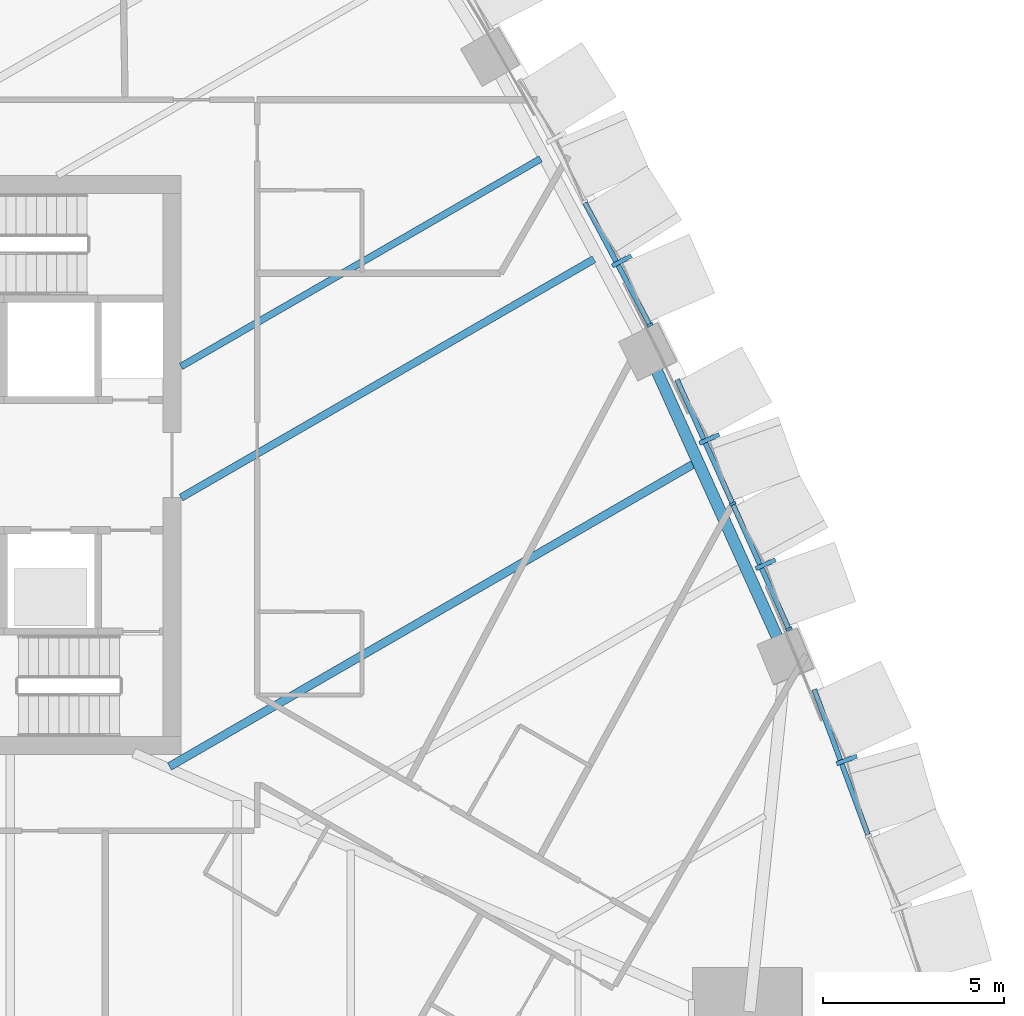
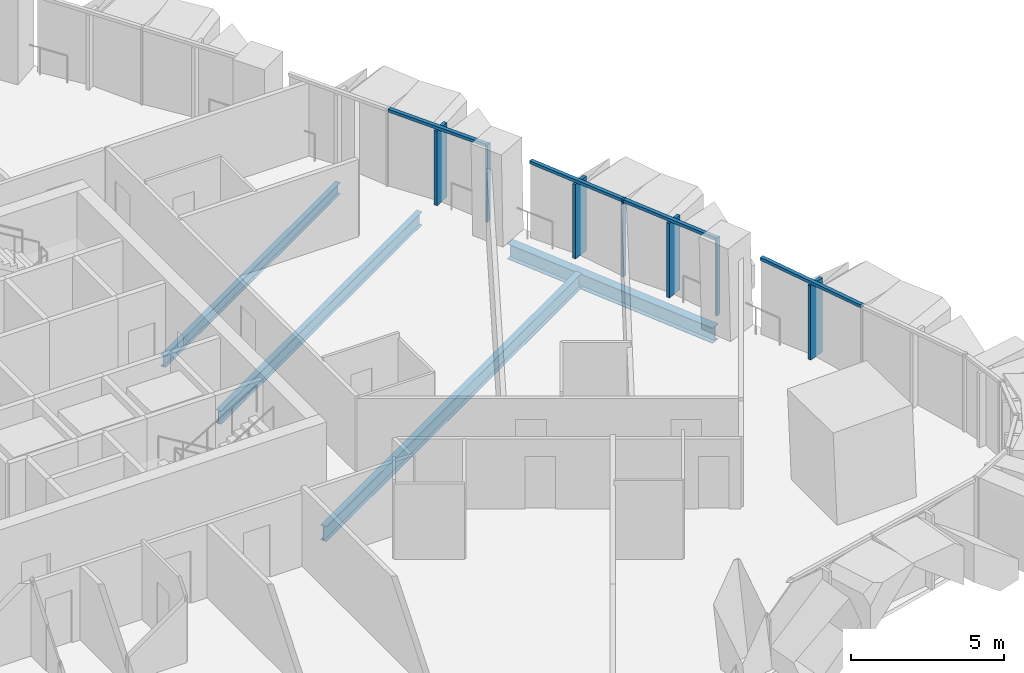
# One storey, part 5 of 22: 11 members, 4 beams, 3 elements without a shape of their own.
"""IFC4 building model written with IfcOpenShell, lengths in metres."""

from ifc_helpers import new_model, si_unit, direction, frame, origin, origin_2d, place, context, subcontext, project, spatial, rectangle, i_section, extrude, material, layer, layer_set, material_profile, profile_set, type_object, element, aggregate, save


model = new_model("IFC4")

# Units and contexts
model_context = context("Model", 3, precision=1e-05, world=origin(), true_north=direction((0.0, 1.0)))
body_context = subcontext(model_context, "Body", "Model", "MODEL_VIEW")
ifc_project = project(units=[si_unit("LENGTHUNIT", "METRE"), si_unit("AREAUNIT", "SQUARE_METRE"), si_unit("VOLUMEUNIT", "CUBIC_METRE"), si_unit("PLANEANGLEUNIT", "RADIAN"), si_unit("MASSUNIT", "GRAM", prefix="KILO")], contexts=[model_context])

# Site, building, storey
site_placement = place(None, origin())
site = spatial("IfcSite", under=ifc_project, at=site_placement, CompositionType="ELEMENT")
building_placement = place(site_placement, origin())
building = spatial("IfcBuilding", under=site, at=building_placement, Name="Sierra Prisma Convention Tower", CompositionType="ELEMENT")
storey_placement = place(building_placement, frame((0.0, 0.0, 66.5)))
storey = spatial("IfcBuildingStorey", under=building, at=storey_placement, Name="L12", CompositionType="ELEMENT", Elevation=66.5)

# Curtain wall, member
ifc_material_1 = material(Name="Aluminium and glass curtain wall", Category="aluminium")
ifc_layer = layer(ifc_material_1, 0.179931640625)
ifc_layer_set = layer_set([ifc_layer], Name="CW-2 Faceted crystal curtain wall")
curtain_wall_type = type_object("IfcCurtainWallType", Name="CW-2 Faceted crystal curtain wall", PredefinedType="NOTDEFINED", material=ifc_layer_set)
curtain_wall_1_placement = place(storey_placement, origin())
curtain_wall_1 = element("IfcCurtainWall", 1, at=curtain_wall_1_placement, inside=storey, type_object=curtain_wall_type, Name="CW-2 NE1 L12", PredefinedType="NOTDEFINED")
ifc_material_2 = material(Name="Aluminium 6063-T6 bronze anodised", Category="aluminium")
ifc_material_profile_1 = material_profile(ifc_material_2, rectangle(XDim=0.1201171875, YDim=0.60009765625, at=origin_2d()), Name="ALU RIDGE BLADE 120x600")
ifc_profile_set_1 = profile_set([ifc_material_profile_1], Name="Aluminium 6063-T6 bronze anodised")
member_type_1 = type_object("IfcMemberType", Name="CW hip bronze", PredefinedType="MULLION", material=ifc_profile_set_1)
member_1_placement = place(storey_placement, frame((29.395751953125, -8.1474609375, 0.0), z_axis=(0.0, 0.0, 1.0), x_axis=(-0.347364051978, 0.937730353243, 0.0)))
member_1 = element("IfcMember", 2, at=member_1_placement, type_object=member_type_1, Name="CW-2 ridge NE1.2", PredefinedType="MULLION", context=body_context, shape_type="SweptSolid", body=[
    extrude(rectangle(XDim=0.1201171875, YDim=0.60009765625, at=origin_2d()), origin(), (0.0, 0.0, 1.0), 2.97998046875),
])

# Curtain wall, members
curtain_wall_2_placement = place(storey_placement, origin())
curtain_wall_2 = element("IfcCurtainWall", 3, at=curtain_wall_2_placement, inside=storey, type_object=curtain_wall_type, Name="CW-2 NE2 L12", PredefinedType="NOTDEFINED")
member_2_placement = place(storey_placement, frame((27.152587890625, -2.73876953125, 0.0), z_axis=(0.0, 0.0, 1.0), x_axis=(-0.409132433355, 0.91247501444, 0.0)))
member_2 = element("IfcMember", 4, at=member_2_placement, type_object=member_type_1, Name="CW-2 ridge NE2.1", PredefinedType="MULLION", context=body_context, shape_type="SweptSolid", body=[
    extrude(rectangle(XDim=0.1201171875, YDim=0.60009765625, at=origin_2d()), origin(), (0.0, 0.0, 1.0), 2.97998046875),
])
member_3_placement = place(storey_placement, frame((25.599853515625, 0.72412109375, 0.0), z_axis=(0.0, 0.0, 1.0), x_axis=(-0.409132433355, 0.91247501444, 0.0)))
member_3 = element("IfcMember", 5, at=member_3_placement, type_object=member_type_1, Name="CW-2 ridge NE2.2", PredefinedType="MULLION", context=body_context, shape_type="SweptSolid", body=[
    extrude(rectangle(XDim=0.1201171875, YDim=0.60009765625, at=origin_2d()), origin(), (0.0, 0.0, 1.0), 2.97998046875),
])

# Curtain wall, member
curtain_wall_3_placement = place(storey_placement, origin())
curtain_wall_3 = element("IfcCurtainWall", 6, at=curtain_wall_3_placement, inside=storey, type_object=curtain_wall_type, Name="CW-2 NE3 L12", PredefinedType="NOTDEFINED")
member_4_placement = place(storey_placement, frame((23.1806640625, 5.644775390625, 0.0), z_axis=(0.0, 0.0, 1.0), x_axis=(-0.469078880468, 0.88315627377, 0.0)))
member_4 = element("IfcMember", 7, at=member_4_placement, type_object=member_type_1, Name="CW-2 ridge NE3.1", PredefinedType="MULLION", context=body_context, shape_type="SweptSolid", body=[
    extrude(rectangle(XDim=0.1201171875, YDim=0.60009765625, at=origin_2d()), origin(), (0.0, 0.0, 1.0), 2.97998046875),
])

# Member
ifc_material_3 = material(Name="Aluminium 6063-T6 bronze anodised", Category="aluminium")
ifc_material_profile_2 = material_profile(ifc_material_3, rectangle(XDim=0.179931640625, YDim=0.070068359375, at=origin_2d()), Name="ALU MULLION 70x180")
ifc_profile_set_2 = profile_set([ifc_material_profile_2], Name="Aluminium 6063-T6 bronze anodised")
member_type_2 = type_object("IfcMemberType", Name="CW mullion bronze", PredefinedType="MULLION", material=ifc_profile_set_2)
member_5_placement = place(storey_placement, frame((27.795166015625, -4.5302734375, 0.0), z_axis=(0.0, 0.0, 1.0), x_axis=(-0.91247501444, -0.409132433355, 0.0)))
member_5 = element("IfcMember", 8, at=member_5_placement, type_object=member_type_2, Name="CW-1 mullion NE2.1", PredefinedType="MULLION", context=body_context, shape_type="SweptSolid", body=[
    extrude(rectangle(XDim=0.179931640625, YDim=0.070068359375, at=origin_2d()), origin(), (0.0, 0.0, 1.0), 3.10009765625),
])

member_6_placement = place(storey_placement, frame((26.242431640625, -1.0673828125, 0.0), z_axis=(0.0, 0.0, 1.0), x_axis=(-0.91247501444, -0.409132433355, 0.0)))
member_6 = element("IfcMember", 9, at=member_6_placement, type_object=member_type_2, Name="CW-1 mullion NE2.2", PredefinedType="MULLION", context=body_context, shape_type="SweptSolid", body=[
    extrude(rectangle(XDim=0.179931640625, YDim=0.070068359375, at=origin_2d()), origin(), (0.0, 0.0, 1.0), 3.10009765625),
])

member_7_placement = place(storey_placement, frame((23.9541015625, 3.870849609375, 0.0), z_axis=(0.0, 0.0, 1.0), x_axis=(-0.88315627377, -0.469078880468, 0.0)))
member_7 = element("IfcMember", 10, at=member_7_placement, type_object=member_type_2, Name="CW-1 mullion NE3.1", PredefinedType="MULLION", context=body_context, shape_type="SweptSolid", body=[
    extrude(rectangle(XDim=0.179931640625, YDim=0.070068359375, at=origin_2d()), origin(), (0.0, 0.0, 1.0), 3.10009765625),
])

ifc_material_4 = material(Name="Aluminium 6063-T6 bronze anodised", Category="aluminium")
ifc_material_profile_3 = material_profile(ifc_material_4, rectangle(XDim=0.139892578125, YDim=0.1201171875, at=origin_2d()), Name="ALU TRANSOM 120x140")
ifc_profile_set_3 = profile_set([ifc_material_profile_3], Name="Aluminium 6063-T6 bronze anodised")
member_type_3 = type_object("IfcMemberType", Name="CW transom bronze", PredefinedType="USERDEFINED", material=ifc_profile_set_3)
member_8_placement = place(storey_placement, frame((29.98095703125, -10.2119140625, 3.0400390625), z_axis=(-0.347399845704, 0.937717093373, 0.0), x_axis=(-0.937717093373, -0.347399845704, 0.0)))
member_8 = element("IfcMember", 11, at=member_8_placement, type_object=member_type_3, Name="CW-1 transom NE1.2", ObjectType="TRANSOM", PredefinedType="USERDEFINED", context=body_context, shape_type="SweptSolid", body=[
    extrude(rectangle(XDim=0.139892578125, YDim=0.1201171875, at=origin_2d()), origin(), (0.0, 0.0, 1.0), 4.2783203125),
])

aggregate(curtain_wall_1, [member_8, member_1])

member_9_placement = place(storey_placement, frame((27.78076171875, -4.498291015625, 3.0400390625), z_axis=(-0.409170694448, 0.912457858098, 0.0), x_axis=(-0.912457858098, -0.409170694448, 0.0)))
member_9 = element("IfcMember", 12, at=member_9_placement, type_object=member_type_3, Name="CW-1 transom NE2.1", ObjectType="TRANSOM", PredefinedType="USERDEFINED", context=body_context, shape_type="SweptSolid", body=[
    extrude(rectangle(XDim=0.139892578125, YDim=0.1201171875, at=origin_2d()), origin(), (0.0, 0.0, 1.0), 3.72509765625),
])

member_10_placement = place(storey_placement, frame((26.22802734375, -1.035400390625, 3.0400390625), z_axis=(-0.409146226071, 0.912468829984, 0.0), x_axis=(-0.912468829984, -0.409146226071, 0.0)))
member_10 = element("IfcMember", 13, at=member_10_placement, type_object=member_type_3, Name="CW-1 transom NE2.2", ObjectType="TRANSOM", PredefinedType="USERDEFINED", context=body_context, shape_type="SweptSolid", body=[
    extrude(rectangle(XDim=0.139892578125, YDim=0.1201171875, at=origin_2d()), origin(), (0.0, 0.0, 1.0), 3.725341796875),
])

aggregate(curtain_wall_2, [member_5, member_6, member_9, member_2, member_10, member_3])

member_11_placement = place(storey_placement, frame((23.9375, 3.90185546875, 3.0400390625), z_axis=(-0.46906570314, 0.883163272639, 0.0), x_axis=(-0.883163272639, -0.46906570314, 0.0)))
member_11 = element("IfcMember", 14, at=member_11_placement, type_object=member_type_3, Name="CW-1 transom NE3.1", ObjectType="TRANSOM", PredefinedType="USERDEFINED", context=body_context, shape_type="SweptSolid", body=[
    extrude(rectangle(XDim=0.139892578125, YDim=0.1201171875, at=origin_2d()), origin(), (0.0, 0.0, 1.0), 3.78857421875),
])

aggregate(curtain_wall_3, [member_7, member_11, member_4])

# Beams
ifc_material_5 = material(Name="Steel ASTM A992 Gr 50", Category="steel")
ifc_material_profile_4 = material_profile(ifc_material_5, i_section(OverallWidth=0.18994140625, OverallDepth=0.45703125, WebThickness=0.009033203125, FlangeThickness=0.014404296875, at=origin_2d()), Name="W460x74")
ifc_profile_set_4 = profile_set([ifc_material_profile_4], Name="Steel ASTM A992 Gr 50")
beam_type_1 = type_object("IfcBeamType", Name="Floor joist W460x74", PredefinedType="JOIST", material=ifc_profile_set_4)
beam_1_placement = place(storey_placement, frame((20.932861328125, 8.4619140625, -0.37841796875), z_axis=(-0.866020755578, -0.500008050843, 0.0), x_axis=(0.500008050843, -0.866020755578, 0.0)))
element("IfcBeam", 15, at=beam_1_placement, inside=storey, type_object=beam_type_1, Name="Floor joist L12 NE08", PredefinedType="JOIST", context=body_context, shape_type="SweptSolid", body=[
    extrude(i_section(OverallWidth=0.18994140625, OverallDepth=0.45703125, WebThickness=0.009033203125, FlangeThickness=0.014404296875, at=origin_2d()), origin(), (0.0, 0.0, 1.0), 11.469482421875),
])
ifc_material_6 = material(Name="Steel ASTM A992 Gr 50", Category="steel")
ifc_material_profile_5 = material_profile(ifc_material_6, i_section(OverallWidth=0.208984375, OverallDepth=0.532958984375, WebThickness=0.01025390625, FlangeThickness=0.015625, at=origin_2d()), Name="W530x92")
ifc_profile_set_5 = profile_set([ifc_material_profile_5], Name="Steel ASTM A992 Gr 50")
beam_type_2 = type_object("IfcBeamType", Name="Floor joist W530x92", PredefinedType="JOIST", material=ifc_profile_set_5)
beam_2_placement = place(storey_placement, frame((22.412353515625, 5.692138671875, -0.41650390625), z_axis=(-0.866027315751, -0.499996688362, 0.0), x_axis=(0.499996688362, -0.866027315751, 0.0)))
element("IfcBeam", 16, at=beam_2_placement, inside=storey, type_object=beam_type_2, Name="Floor joist L12 NE07", PredefinedType="JOIST", context=body_context, shape_type="SweptSolid", body=[
    extrude(i_section(OverallWidth=0.208984375, OverallDepth=0.532958984375, WebThickness=0.01025390625, FlangeThickness=0.015625, at=origin_2d()), origin(), (0.0, 0.0, 1.0), 13.177734375),
])
ifc_material_7 = material(Name="Steel ASTM A992 Gr 50", Category="steel")
ifc_material_profile_6 = material_profile(ifc_material_7, i_section(OverallWidth=0.22802734375, OverallDepth=0.60302734375, WebThickness=0.010498046875, FlangeThickness=0.014892578125, at=origin_2d()), Name="W610x101")
ifc_profile_set_6 = profile_set([ifc_material_profile_6], Name="Steel ASTM A992 Gr 50")
beam_type_3 = type_object("IfcBeamType", Name="Floor joist W610x101", PredefinedType="JOIST", material=ifc_profile_set_6)
beam_3_placement = place(storey_placement, frame((25.179931640625, 0.042236328125, -0.451416015625), z_axis=(-0.866026037991, -0.49999890152, 0.0), x_axis=(0.49999890152, -0.866026037991, 0.0)))
element("IfcBeam", 17, at=beam_3_placement, inside=storey, type_object=beam_type_3, Name="Floor joist L12 NE05", PredefinedType="JOIST", context=body_context, shape_type="SweptSolid", body=[
    extrude(i_section(OverallWidth=0.22802734375, OverallDepth=0.60302734375, WebThickness=0.010498046875, FlangeThickness=0.014892578125, at=origin_2d()), origin(), (0.0, 0.0, 1.0), 16.74169921875),
])
ifc_material_8 = material(Name="Steel ASTM A992 Gr 50", Category="steel")
ifc_material_profile_7 = material_profile(ifc_material_8, i_section(OverallWidth=0.324951171875, OverallDepth=0.615966796875, WebThickness=0.013916015625, FlangeThickness=0.021484375, at=origin_2d()), Name="W610x174")
ifc_profile_set_7 = profile_set([ifc_material_profile_7], Name="Steel ASTM A992 Gr 50")
beam_type_4 = type_object("IfcBeamType", Name="Spandrel beam W610x174", PredefinedType="BEAM", material=ifc_profile_set_7)
beam_4_placement = place(storey_placement, frame((27.5185546875, -4.8583984375, -0.4580078125), z_axis=(-0.411835355933, 0.911258272721, 0.0), x_axis=(-0.911258272721, -0.411835355933, 0.0)))
element("IfcBeam", 18, at=beam_4_placement, inside=storey, type_object=beam_type_4, Name="Spandrel L12-08", PredefinedType="BEAM", context=body_context, shape_type="SweptSolid", body=[
    extrude(i_section(OverallWidth=0.324951171875, OverallDepth=0.615966796875, WebThickness=0.013916015625, FlangeThickness=0.021484375, at=origin_2d()), origin(), (0.0, 0.0, 1.0), 8.286865234375),
])

save(model, "model.ifc")
